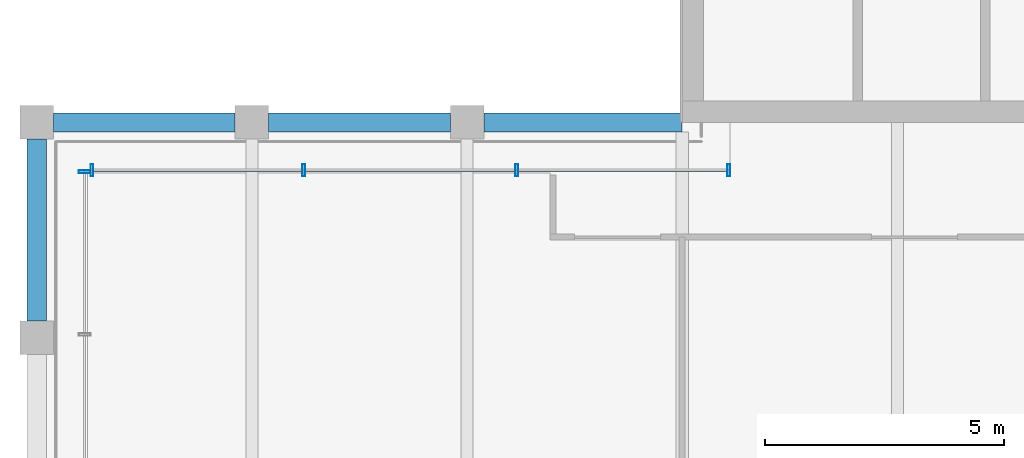
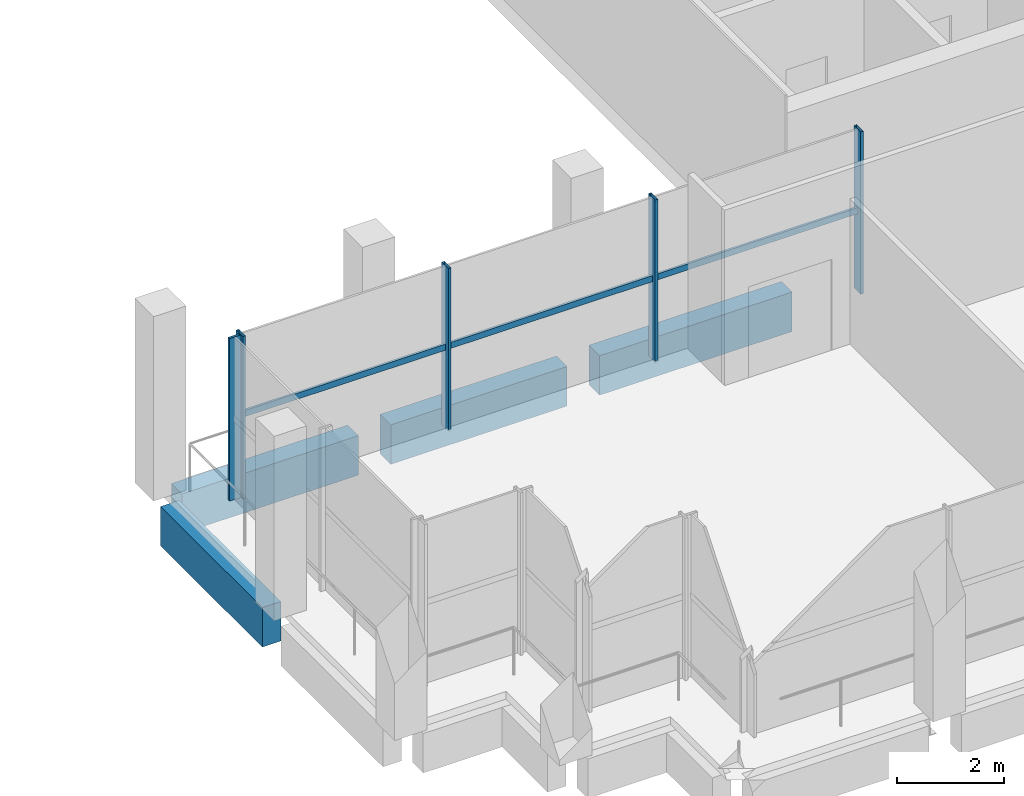
# One storey, part 4 of 17: 8 members, 4 beams, 2 elements without a shape of their own.
"""IFC4 building model written with IfcOpenShell, lengths in metres."""

import ifcopenshell
import ifcopenshell.guid

model = None  # the IFC model being written
_history = None  # IfcOwnerHistory: only IFC2X3 demands one
_inside = {}  # id of a spatial element -> (the spatial element, [elements in it])
_under = {}  # id of a project, library or spatial element -> (it, [spatial elements below it])
_declared = {}  # id of a project -> (the project, [libraries it declares])
_typed = {}  # id of a type object -> (the type object, [elements of that type])
_made_of = {}  # id of a material, layer set ... -> (it, [elements and type objects made of it])


def new_model(schema):
    """Start an empty IFC model of exactly this schema.

    Asked for "IFC4X3", IfcOpenShell would pick the latest addendum, in which some entities
    have other attributes; the version numbers below select the first issue.
    IFC2X3 requires an IfcOwnerHistory on every rooted entity: one is made here for all.
    """
    global model, _history
    if schema == "IFC4X3":
        model = ifcopenshell.file(schema_version=(4, 3, 0, 0))
    else:
        model = ifcopenshell.file(schema=schema)
    _inside.clear()
    _under.clear()
    _declared.clear()
    _typed.clear()
    _made_of.clear()
    _history = None
    if model.schema == "IFC2X3":
        org = make("IfcOrganization", Name="unknown")
        user = make(
            "IfcPersonAndOrganization",
            ThePerson=make("IfcPerson", FamilyName="unknown"),
            TheOrganization=org,
        )
        app = make(
            "IfcApplication",
            ApplicationDeveloper=org,
            Version="unknown",
            ApplicationFullName="unknown",
            ApplicationIdentifier="unknown",
        )
        _history = make(
            "IfcOwnerHistory",
            OwningUser=user,
            OwningApplication=app,
            ChangeAction="ADDED",
            CreationDate=0,
        )
    return model


def make(cls, **values):
    """One entity of the class cls with the attributes given. An attribute that is None is left unset."""
    return model.create_entity(
        cls, **{name: value for name, value in values.items() if value is not None}
    )


def rooted(cls, **values):
    """An entity with a GlobalId (a new one), such as an element, a storey or a relation."""
    return make(cls, GlobalId=ifcopenshell.guid.new(), OwnerHistory=_history, **values)


def si_unit(unit_type, name, prefix=None):
    """IfcSIUnit, for example si_unit("LENGTHUNIT", "METRE", prefix="MILLI")."""
    return make("IfcSIUnit", UnitType=unit_type, Prefix=prefix, Name=name)


def assignment(units):
    """IfcUnitAssignment: the units of a project."""
    return None if units is None else make("IfcUnitAssignment", Units=units)


def point(xyz):
    """IfcCartesianPoint."""
    return None if xyz is None else make("IfcCartesianPoint", Coordinates=xyz)


def direction(xyz):
    """IfcDirection."""
    return None if xyz is None else make("IfcDirection", DirectionRatios=xyz)


def frame(location, z_axis=None, x_axis=None):
    """IfcAxis2Placement3D, a coordinate frame: its origin and axes. An axis left out is left unset."""
    return make(
        "IfcAxis2Placement3D",
        Location=point(location),
        Axis=direction(z_axis),
        RefDirection=direction(x_axis),
    )


def frame_2d(location, x_axis=None):
    """IfcAxis2Placement2D, a coordinate frame in the plane: its origin and x axis."""
    return make(
        "IfcAxis2Placement2D", Location=point(location), RefDirection=direction(x_axis)
    )


def origin():
    """The frame at (0, 0, 0) with its axes left unset."""
    return frame((0.0, 0.0, 0.0))


def origin_2d():
    """The frame at (0, 0) in the plane with its x axis left unset."""
    return frame_2d((0.0, 0.0))


def place(relative_to, where):
    """IfcLocalPlacement: puts the frame where relative to a parent placement (None: the world)."""
    return make(
        "IfcLocalPlacement", PlacementRelTo=relative_to, RelativePlacement=where
    )


def context(
    kind, dimensions, precision=None, world=None, true_north=None, identifier=None
):
    """IfcGeometricRepresentationContext, for example the 3D "Model" context."""
    return make(
        "IfcGeometricRepresentationContext",
        ContextIdentifier=identifier,
        ContextType=kind,
        CoordinateSpaceDimension=dimensions,
        Precision=precision,
        WorldCoordinateSystem=world,
        TrueNorth=true_north,
    )


def subcontext(parent, identifier, kind, view, scale=None):
    """IfcGeometricRepresentationSubContext, for example "Body" below "Model"."""
    return make(
        "IfcGeometricRepresentationSubContext",
        ContextIdentifier=identifier,
        ContextType=kind,
        ParentContext=parent,
        TargetScale=scale,
        TargetView=view,
    )


def project(units=None, contexts=None):
    """IfcProject with its units and contexts."""
    return rooted(
        "IfcProject",
        Name="project",
        RepresentationContexts=contexts,
        UnitsInContext=assignment(units),
    )


def spatial(cls, under=None, at=None, **own):
    """A site, building, storey or space (cls), placed at a placement, below another one or the project."""
    s = rooted(cls, ObjectPlacement=at, **own)
    if under is not None:
        _under.setdefault(under.id(), (under, []))[1].append(s)
    return s


def profile(cls, at=None, kind="AREA", **sizes):
    """A parametric profile (cls). Its sizes go by their IFC names, for example OverallWidth=200.0."""
    return make(cls, ProfileType=kind, Position=at, **sizes)


def rectangle(**sizes):
    """IfcRectangleProfileDef."""
    return profile("IfcRectangleProfileDef", **sizes)


def hollow_rectangle(**sizes):
    """IfcRectangleHollowProfileDef."""
    return profile("IfcRectangleHollowProfileDef", **sizes)


def extrude(swept, where, along, depth):
    """IfcExtrudedAreaSolid: the profile swept, set in the frame where, extruded along a direction by depth."""
    return make(
        "IfcExtrudedAreaSolid",
        SweptArea=swept,
        Position=where,
        ExtrudedDirection=direction(along),
        Depth=depth,
    )


def shape(context_of_items, identifier, shape_type, items):
    """IfcShapeRepresentation: the items that make up one representation, for example the "Body"."""
    return make(
        "IfcShapeRepresentation",
        ContextOfItems=context_of_items,
        RepresentationIdentifier=identifier,
        RepresentationType=shape_type,
        Items=items,
    )


def material(Name=None, Category=None):
    """IfcMaterial."""
    return make("IfcMaterial", Name=Name, Category=Category)


def material_profile(
    of_material, cross_section, Name=None, Category=None, Priority=None
):
    """IfcMaterialProfile: a cross section and its material."""
    return make(
        "IfcMaterialProfile",
        Name=Name,
        Material=of_material,
        Profile=cross_section,
        Priority=Priority,
        Category=Category,
    )


def profile_set(profiles, Name=None, composite=None):
    """IfcMaterialProfileSet."""
    return make(
        "IfcMaterialProfileSet",
        Name=Name,
        MaterialProfiles=profiles,
        CompositeProfile=composite,
    )


def made_of(thing, what):
    """Note that an element or type object is made of a material, layer set ...; save() writes the relation."""
    if what is not None:
        _made_of.setdefault(what.id(), (what, []))[1].append(thing)
    return thing


def type_object(cls, material=None, **own):
    """A type object (cls), such as IfcWallType, which elements share."""
    return made_of(rooted(cls, **own), material)


def element(
    cls,
    number,
    at=None,
    inside=None,
    cuts=None,
    type_object=None,
    material=None,
    context=None,
    identifier="Body",
    shape_type=None,
    held_by="IfcProductDefinitionShape",
    body=None,
    shapes=None,
    **own,
):
    """One element of the class cls, such as IfcWall. Its Tag is "e" and its number.

    at: its placement. inside: the storey or other place that contains it. cuts: it is an
    opening in that element (IfcRelVoidsElement). A single representation is given by context,
    identifier, shape_type and body (its items); several are given by shapes. held_by: the class
    of the entity that holds the representations. save() writes the other relations.
    """
    e = rooted(cls, Tag="e%d" % number, ObjectPlacement=at, **own)
    if body is not None:
        shapes = [shape(context, identifier, shape_type, body)]
    if shapes is not None:
        e.Representation = make(held_by, Representations=shapes)
    if inside is not None:
        _inside.setdefault(inside.id(), (inside, []))[1].append(e)
    if cuts is not None:
        rooted(
            "IfcRelVoidsElement", RelatingBuildingElement=cuts, RelatedOpeningElement=e
        )
    if type_object is not None:
        _typed.setdefault(type_object.id(), (type_object, []))[1].append(e)
    return made_of(e, material)


def aggregate(whole, parts):
    """IfcRelAggregates: a whole, such as a stair, and the parts it consists of."""
    return rooted("IfcRelAggregates", RelatingObject=whole, RelatedObjects=parts)


def save(model, path):
    """Write the relations noted so far, then the file.

    IfcRelAggregates (storeys below a building ...), IfcRelContainedInSpatialStructure (elements
    in a storey), IfcRelDefinesByType, IfcRelAssociatesMaterial and IfcRelDeclares: one each for
    every whole, place, type object, material and project.
    """
    for whole, parts in _under.values():
        aggregate(whole, parts)
    for where, things in _inside.values():
        rooted(
            "IfcRelContainedInSpatialStructure",
            RelatedElements=things,
            RelatingStructure=where,
        )
    for kind, things in _typed.values():
        rooted("IfcRelDefinesByType", RelatedObjects=things, RelatingType=kind)
    for what, things in _made_of.values():
        rooted("IfcRelAssociatesMaterial", RelatedObjects=things, RelatingMaterial=what)
    for by, libraries in _declared.values():
        rooted("IfcRelDeclares", RelatingContext=by, RelatedDefinitions=libraries)
    model.write(path)


model = new_model("IFC4")

# Units and contexts
model_context = context("Model", 3, precision=1e-05, world=origin(), true_north=direction((0.0, 1.0)))
body_context = subcontext(model_context, "Body", "Model", "MODEL_VIEW")
ifc_project = project(units=[si_unit("LENGTHUNIT", "METRE"), si_unit("AREAUNIT", "SQUARE_METRE"), si_unit("VOLUMEUNIT", "CUBIC_METRE"), si_unit("PLANEANGLEUNIT", "RADIAN"), si_unit("MASSUNIT", "GRAM", prefix="KILO")], contexts=[model_context])

# Site, building, storey
site_placement = place(None, origin())
site = spatial("IfcSite", under=ifc_project, at=site_placement, CompositionType="ELEMENT")
building_placement = place(site_placement, origin())
building = spatial("IfcBuilding", under=site, at=building_placement, Name="Altepetl Exchange Towers", CompositionType="ELEMENT")
storey_placement = place(building_placement, frame((0.0, 0.0, 255.199951171875)))
storey = spatial("IfcBuildingStorey", under=building, at=storey_placement, Name="L65", CompositionType="ELEMENT", Elevation=255.199951171875)

# Curtain wall, members
ifc_material_1 = material(Name="Aluminium 6063-T6 glazing", Category="aluminium")
curtain_wall_type = type_object("IfcCurtainWallType", Name="Executive flush glazing system", PredefinedType="NOTDEFINED", material=ifc_material_1)
curtain_wall_1_placement = place(storey_placement, origin())
curtain_wall_1 = element("IfcCurtainWall", 1, at=curtain_wall_1_placement, inside=storey, type_object=curtain_wall_type, Name="CW4 run", PredefinedType="NOTDEFINED")
ifc_material_2 = material(Name="Aluminium 6063-T6", Category="aluminium")
ifc_material_profile_1 = material_profile(ifc_material_2, hollow_rectangle(XDim=0.06005859375, YDim=0.25, WallThickness=0.0029296875, at=origin_2d()), Name="Mullion 60x250 hollow aluminium")
ifc_profile_set_1 = profile_set([ifc_material_profile_1], Name="Aluminium 6063-T6")
member_type_1 = type_object("IfcMemberType", Name="Mullion 60x250 hollow aluminium", PredefinedType="MULLION", material=ifc_profile_set_1)
member_1_placement = place(storey_placement, frame((41.469970703125, 39.5, 0.0), z_axis=(0.0, 0.0, 1.0), x_axis=(-1.0, 0.0, 0.0)))
member_1 = element("IfcMember", 2, at=member_1_placement, type_object=member_type_1, Name="MU3 mullion", PredefinedType="MULLION", context=body_context, shape_type="SweptSolid", body=[
    extrude(hollow_rectangle(XDim=0.06005859375, YDim=0.25, WallThickness=0.0029296875, at=origin_2d()), origin(), (0.0, 0.0, 1.0), 3.699951171875),
])
member_2_placement = place(storey_placement, frame((37.041748046875, 39.5, 0.0), z_axis=(0.0, 0.0, 1.0), x_axis=(-1.0, 0.0, 0.0)))
member_2 = element("IfcMember", 3, at=member_2_placement, type_object=member_type_1, Name="MU3 mullion", PredefinedType="MULLION", context=body_context, shape_type="SweptSolid", body=[
    extrude(hollow_rectangle(XDim=0.06005859375, YDim=0.25, WallThickness=0.0029296875, at=origin_2d()), origin(), (0.0, 0.0, 1.0), 3.699951171875),
])
member_3_placement = place(storey_placement, frame((32.583251953125, 39.5, 0.0), z_axis=(0.0, 0.0, 1.0), x_axis=(-1.0, 0.0, 0.0)))
member_3 = element("IfcMember", 4, at=member_3_placement, type_object=member_type_1, Name="MU3 mullion", PredefinedType="MULLION", context=body_context, shape_type="SweptSolid", body=[
    extrude(hollow_rectangle(XDim=0.06005859375, YDim=0.25, WallThickness=0.0029296875, at=origin_2d()), origin(), (0.0, 0.0, 1.0), 3.699951171875),
])
member_4_placement = place(storey_placement, frame((28.155029296875, 39.5, 0.0), z_axis=(0.0, 0.0, 1.0), x_axis=(-1.0, 0.0, 0.0)))
member_4 = element("IfcMember", 5, at=member_4_placement, type_object=member_type_1, Name="MU3 mullion", PredefinedType="MULLION", context=body_context, shape_type="SweptSolid", body=[
    extrude(hollow_rectangle(XDim=0.06005859375, YDim=0.25, WallThickness=0.0029296875, at=origin_2d()), origin(), (0.0, 0.0, 1.0), 3.699951171875),
])

# Curtain wall, member
curtain_wall_2_placement = place(storey_placement, origin())
curtain_wall_2 = element("IfcCurtainWall", 6, at=curtain_wall_2_placement, inside=storey, type_object=curtain_wall_type, Name="CW4 run", PredefinedType="NOTDEFINED")
member_5_placement = place(storey_placement, frame((28.0, 39.469970703125, 0.0), z_axis=(0.0, 0.0, 1.0), x_axis=(0.0, -1.0, 0.0)))
member_5 = element("IfcMember", 7, at=member_5_placement, type_object=member_type_1, Name="MU3 mullion", PredefinedType="MULLION", context=body_context, shape_type="SweptSolid", body=[
    extrude(hollow_rectangle(XDim=0.06005859375, YDim=0.25, WallThickness=0.0029296875, at=origin_2d()), origin(), (0.0, 0.0, 1.0), 3.699951171875),
])
aggregate(curtain_wall_2, [member_5])

# Beams
ifc_material_3 = material(Name="Concrete C50/60 precast with cantera blanca facing", Category="concrete")
ifc_material_profile_2 = material_profile(ifc_material_3, rectangle(XDim=0.39990234375, YDim=0.89990234375, at=origin_2d()), Name="400 x 900")
ifc_profile_set_2 = profile_set([ifc_material_profile_2], Name="Concrete C50/60 precast with cantera blanca facing")
beam_type_1 = type_object("IfcBeamType", Name="Spandrel beam 400x900 cantera blanca", PredefinedType="SPANDREL", material=ifc_profile_set_2)
beam_1_placement = place(storey_placement, frame((27.0, 40.14990234375, -0.625), z_axis=(0.0, -1.0, 0.0), x_axis=(1.0, 0.0, 0.0)))
element("IfcBeam", 8, at=beam_1_placement, inside=storey, type_object=beam_type_1, Name="sp:A:L65:036", PredefinedType="SPANDREL", context=body_context, shape_type="SweptSolid", body=[
    extrude(rectangle(XDim=0.39990234375, YDim=0.89990234375, at=origin_2d()), origin(), (0.0, 0.0, 1.0), 3.7998046875),
])
ifc_material_4 = material(Name="Concrete C50/60 precast with tezontle facing", Category="concrete")
ifc_material_profile_3 = material_profile(ifc_material_4, rectangle(XDim=0.39990234375, YDim=0.89990234375, at=origin_2d()), Name="400 x 900")
ifc_profile_set_3 = profile_set([ifc_material_profile_3], Name="Concrete C50/60 precast with tezontle facing")
beam_type_2 = type_object("IfcBeamType", Name="Spandrel beam 400x900 tezontle", PredefinedType="SPANDREL", material=ifc_profile_set_3)
beam_2_placement = place(storey_placement, frame((40.5, 40.5, -0.625), z_axis=(-1.0, 0.0, 0.0), x_axis=(0.0, -1.0, 0.0)))
element("IfcBeam", 9, at=beam_2_placement, inside=storey, type_object=beam_type_2, Name="sp:A:L65:033", PredefinedType="SPANDREL", context=body_context, shape_type="SweptSolid", body=[
    extrude(rectangle(XDim=0.39990234375, YDim=0.89990234375, at=origin_2d()), origin(), (0.0, 0.0, 1.0), 4.14990234375),
])
for number, where, z_axis, x_axis, name in (
    (10, (35.64990234375, 40.5, -0.625), (-1.0, 0.0, 0.0), (0.0, -1.0, 0.0), "sp:A:L65:034"),
    (11, (31.14990234375, 40.5, -0.625), (-1.0, 0.0, 0.0), (0.0, -1.0, 0.0), "sp:A:L65:035"),
):
    element("IfcBeam", number, at=place(storey_placement, frame(where, z_axis=z_axis, x_axis=x_axis)), inside=storey, type_object=beam_type_2, Name=name, PredefinedType="SPANDREL", context=body_context, shape_type="SweptSolid", body=[
        extrude(rectangle(XDim=0.39990234375, YDim=0.89990234375, at=origin_2d()), origin(), (0.0, 0.0, 1.0), 3.7998046875),
    ])

# Member
ifc_material_profile_4 = material_profile(ifc_material_2, hollow_rectangle(XDim=0.050048828125, YDim=0.139892578125, WallThickness=0.0029296875, at=origin_2d()), Name="Transom 50x140 hollow aluminium")
ifc_profile_set_4 = profile_set([ifc_material_profile_4], Name="Aluminium 6063-T6")
member_type_2 = type_object("IfcMemberType", Name="Transom 50x140 hollow aluminium", PredefinedType="USERDEFINED", material=ifc_profile_set_4)
member_6_placement = place(storey_placement, frame((41.43994140625, 39.5, 1.85009765625), z_axis=(-1.0, 0.0, 0.0), x_axis=(0.0, -1.0, 0.0)))
member_6 = element("IfcMember", 12, at=member_6_placement, type_object=member_type_2, Name="TR2 transom", ObjectType="TRANSOM", PredefinedType="USERDEFINED", context=body_context, shape_type="SweptSolid", body=[
    extrude(hollow_rectangle(XDim=0.050048828125, YDim=0.139892578125, WallThickness=0.0029296875, at=origin_2d()), origin(), (0.0, 0.0, 1.0), 4.3681640625),
])

member_7_placement = place(storey_placement, frame((37.01171875, 39.5, 1.85009765625), z_axis=(-1.0, 0.0, 0.0), x_axis=(0.0, -1.0, 0.0)))
member_7 = element("IfcMember", 13, at=member_7_placement, type_object=member_type_2, Name="TR2 transom", ObjectType="TRANSOM", PredefinedType="USERDEFINED", context=body_context, shape_type="SweptSolid", body=[
    extrude(hollow_rectangle(XDim=0.050048828125, YDim=0.139892578125, WallThickness=0.0029296875, at=origin_2d()), origin(), (0.0, 0.0, 1.0), 4.3984375),
])

member_8_placement = place(storey_placement, frame((32.55322265625, 39.5, 1.85009765625), z_axis=(-1.0, 0.0, 0.0), x_axis=(0.0, -1.0, 0.0)))
member_8 = element("IfcMember", 14, at=member_8_placement, type_object=member_type_2, Name="TR2 transom", ObjectType="TRANSOM", PredefinedType="USERDEFINED", context=body_context, shape_type="SweptSolid", body=[
    extrude(hollow_rectangle(XDim=0.050048828125, YDim=0.139892578125, WallThickness=0.0029296875, at=origin_2d()), origin(), (0.0, 0.0, 1.0), 4.3681640625),
])

aggregate(curtain_wall_1, [member_1, member_2, member_3, member_4, member_6, member_7, member_8])

save(model, "model.ifc")
